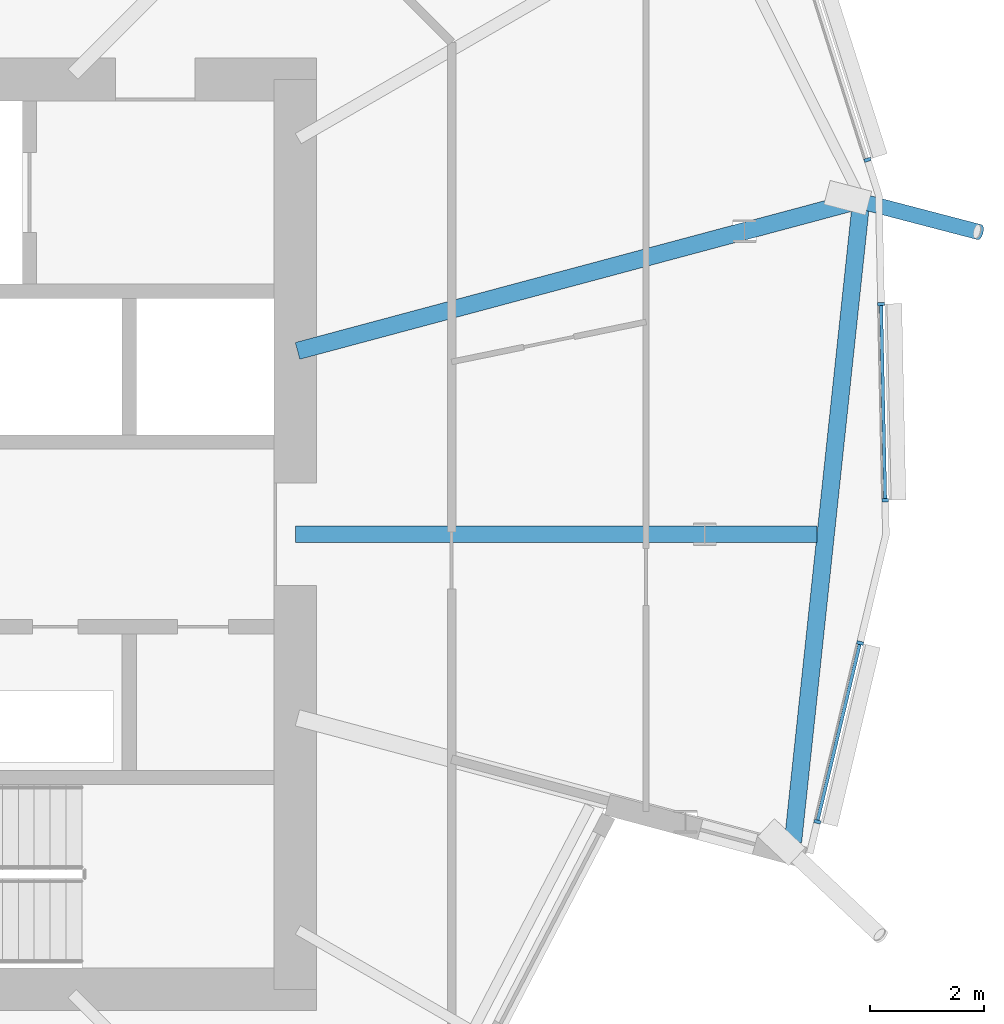
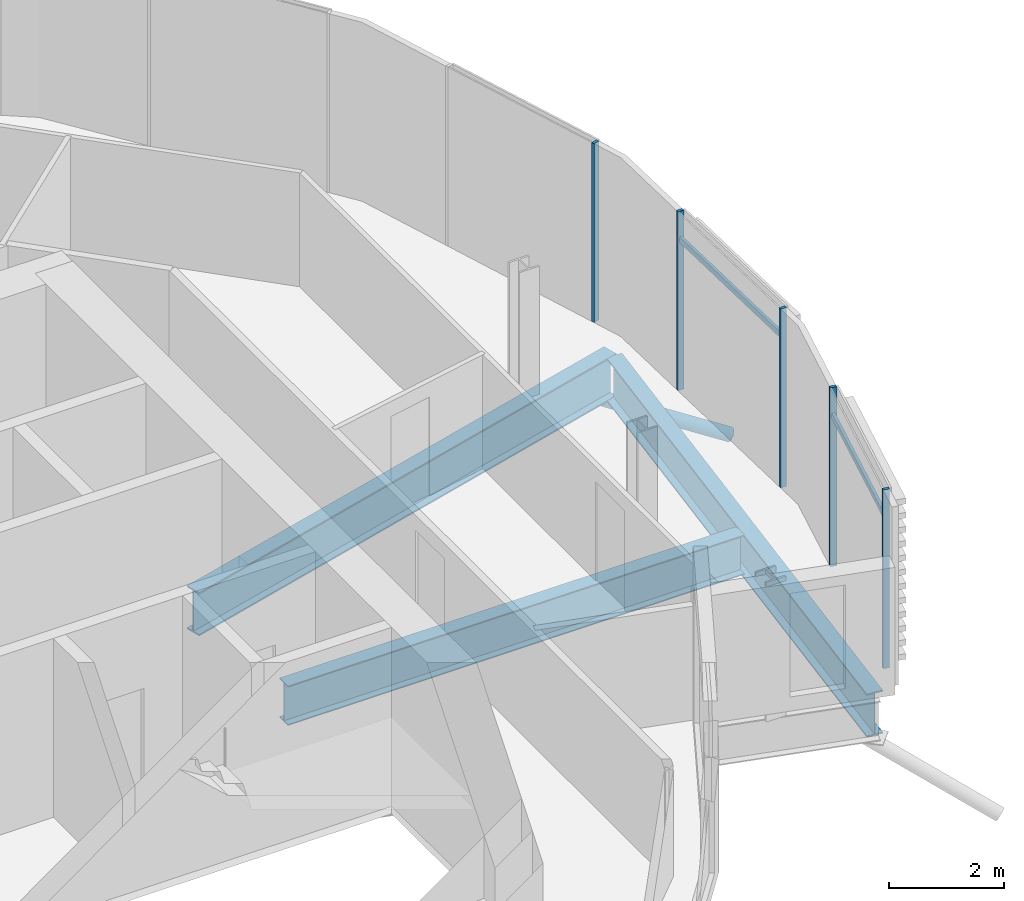
# One storey, part 16 of 43: 8 members, 3 beams, 1 element without a shape of its own.
"""IFC4 building model written with IfcOpenShell, lengths in metres."""

from ifc_helpers import new_model, si_unit, direction, frame, origin, origin_2d, place, context, subcontext, project, spatial, rectangle, hollow_circle, i_section, extrude, clip, halfspace, material, material_profile, profile_set, type_object, element, aggregate, save


model = new_model("IFC4")

# Units and contexts
model_context = context("Model", 3, precision=1e-05, world=origin(), true_north=direction((0.0, 1.0)))
body_context = subcontext(model_context, "Body", "Model", "MODEL_VIEW")
ifc_project = project(units=[si_unit("LENGTHUNIT", "METRE"), si_unit("AREAUNIT", "SQUARE_METRE"), si_unit("VOLUMEUNIT", "CUBIC_METRE"), si_unit("PLANEANGLEUNIT", "RADIAN"), si_unit("MASSUNIT", "GRAM", prefix="KILO")], contexts=[model_context])

# Site, building, storey
site_placement = place(None, origin())
site = spatial("IfcSite", under=ifc_project, at=site_placement, CompositionType="ELEMENT")
building_placement = place(site_placement, origin())
building = spatial("IfcBuilding", under=site, at=building_placement, Name="Rimbun Link Towers", CompositionType="ELEMENT")
storey_placement = place(building_placement, frame((0.0, 0.0, 81.60009765625)))
storey = spatial("IfcBuildingStorey", under=building, at=storey_placement, Name="L19", CompositionType="ELEMENT", Elevation=81.60009765625)

# Curtain wall, members
ifc_material_1 = material(Name="Aluminium 6063-T6 and low-iron glass", Category="aluminium")
curtain_wall_type = type_object("IfcCurtainWallType", Name="CW1-Z2 unitised vision wall (zone 2)", PredefinedType="NOTDEFINED", material=ifc_material_1)
curtain_wall_placement = place(storey_placement, origin())
curtain_wall = element("IfcCurtainWall", 1, at=curtain_wall_placement, inside=storey, type_object=curtain_wall_type, Name="CW1 L19 T2", PredefinedType="NOTDEFINED")
ifc_material_2 = material(Name="Aluminium 6063-T6", Category="aluminium")
ifc_material_profile_1 = material_profile(ifc_material_2, rectangle(XDim=0.1201171875, YDim=0.06005859375, at=origin_2d()), Name="MULLION 60X120")
ifc_profile_set_1 = profile_set([ifc_material_profile_1], Name="Aluminium 6063-T6")
member_type_1 = type_object("IfcMemberType", Name="CW1 mullion 60X120", PredefinedType="MULLION", material=ifc_profile_set_1)
member_1_placement = place(storey_placement, frame((53.68310546875, -1.910400390625, 0.0), z_axis=(0.0, 0.0, 1.0), x_axis=(0.972576339867, -0.232583884072, 0.0)))
member_1 = element("IfcMember", 2, at=member_1_placement, type_object=member_type_1, Name="CW1 mullion", PredefinedType="MULLION", context=body_context, shape_type="SweptSolid", body=[
    extrude(rectangle(XDim=0.1201171875, YDim=0.06005859375, at=origin_2d()), origin(), (0.0, 0.0, 1.0), 3.7998046875),
])
member_2_placement = place(storey_placement, frame((52.931640625, -5.052978515625, 0.0), z_axis=(0.0, 0.0, 1.0), x_axis=(0.972576339867, -0.232583884072, 0.0)))
member_2 = element("IfcMember", 3, at=member_2_placement, type_object=member_type_1, Name="CW1 mullion", PredefinedType="MULLION", context=body_context, shape_type="SweptSolid", body=[
    extrude(rectangle(XDim=0.1201171875, YDim=0.06005859375, at=origin_2d()), origin(), (0.0, 0.0, 1.0), 3.7998046875),
])
member_3_placement = place(storey_placement, frame((54.052978515625, 4.051025390625, 0.0), z_axis=(0.0, 0.0, 1.0), x_axis=(0.999778284552, 0.02105663171, 0.0)))
member_3 = element("IfcMember", 4, at=member_3_placement, type_object=member_type_1, Name="CW1 mullion", PredefinedType="MULLION", context=body_context, shape_type="SweptSolid", body=[
    extrude(rectangle(XDim=0.1201171875, YDim=0.06005859375, at=origin_2d()), origin(), (0.0, 0.0, 1.0), 3.7998046875),
])
member_4_placement = place(storey_placement, frame((54.125732421875, 0.60107421875, 0.0), z_axis=(0.0, 0.0, 1.0), x_axis=(0.999778284552, 0.02105663171, 0.0)))
member_4 = element("IfcMember", 5, at=member_4_placement, type_object=member_type_1, Name="CW1 mullion", PredefinedType="MULLION", context=body_context, shape_type="SweptSolid", body=[
    extrude(rectangle(XDim=0.1201171875, YDim=0.06005859375, at=origin_2d()), origin(), (0.0, 0.0, 1.0), 3.7998046875),
])
member_5_placement = place(storey_placement, frame((53.813232421875, 6.5869140625, 0.0), z_axis=(0.0, 0.0, 1.0), x_axis=(0.952968251743, 0.303070142328, 0.0)))
member_5 = element("IfcMember", 6, at=member_5_placement, type_object=member_type_1, Name="CW1 mullion", PredefinedType="MULLION", context=body_context, shape_type="SweptSolid", body=[
    extrude(rectangle(XDim=0.1201171875, YDim=0.06005859375, at=origin_2d()), origin(), (0.0, 0.0, 1.0), 3.7998046875),
])
ifc_material_3 = material(Name="Aluminium 6063-T6", Category="aluminium")
ifc_material_profile_2 = material_profile(ifc_material_3, rectangle(XDim=0.06005859375, YDim=0.1201171875, at=origin_2d()), Name="TRANSOM 60X120")
ifc_profile_set_2 = profile_set([ifc_material_profile_2], Name="Aluminium 6063-T6")
member_type_2 = type_object("IfcMemberType", Name="CW1 transom 60X120", PredefinedType="USERDEFINED", material=ifc_profile_set_2)
member_6_placement = place(storey_placement, frame((53.674072265625, -1.939208984375, 3.199951171875), z_axis=(-0.232577962534, -0.972577755937, 0.0), x_axis=(0.972577755937, -0.232577962534, 0.0)))
member_6 = element("IfcMember", 7, at=member_6_placement, type_object=member_type_2, Name="CW1 transom", ObjectType="TRANSOM", PredefinedType="USERDEFINED", context=body_context, shape_type="SweptSolid", body=[
    extrude(rectangle(XDim=0.06005859375, YDim=0.1201171875, at=origin_2d()), origin(), (0.0, 0.0, 1.0), 3.171142578125),
])
member_7_placement = place(storey_placement, frame((54.051513671875, 4.02099609375, 3.199951171875), z_axis=(0.021097211863, -0.999777429057, 0.0), x_axis=(0.999777429057, 0.021097211863, 0.0)))
member_7 = element("IfcMember", 8, at=member_7_placement, type_object=member_type_2, Name="CW1 transom", ObjectType="TRANSOM", PredefinedType="USERDEFINED", context=body_context, shape_type="SweptSolid", body=[
    extrude(rectangle(XDim=0.06005859375, YDim=0.1201171875, at=origin_2d()), origin(), (0.0, 0.0, 1.0), 3.390625),
])
aggregate(curtain_wall, [member_1, member_2, member_3, member_4, member_5, member_6, member_7])

# Member
ifc_material_4 = material(Name="Steel S355J2H", Category="steel")
ifc_material_profile_3 = material_profile(ifc_material_4, hollow_circle(Radius=0.136474609375, WallThickness=0.012451171875, at=origin_2d()), Name="CHS 273x12.5")
ifc_profile_set_3 = profile_set([ifc_material_profile_3], Name="Steel S355J2H")
member_type_3 = type_object("IfcMemberType", Name="Floor edge link CHS 273x12.5", PredefinedType="BRACE", material=ifc_profile_set_3)
member_8_placement = place(storey_placement, frame((53.656005859375, 5.86962890625, -1.199462890625), z_axis=(0.859566323705, -0.224264721509, -0.459185223889), x_axis=(0.252453545974, 0.967609015628, 0.0)))
element("IfcMember", 9, at=member_8_placement, inside=storey, type_object=member_type_3, Name="Floor edge link T2 L19 22", PredefinedType="BRACE", context=body_context, shape_type="Clipping", body=[
    clip(extrude(hollow_circle(Radius=0.136474609375, WallThickness=0.012451171875, at=origin_2d()), frame((0.0, 0.0, -0.5498046875)), (0.0, 0.0, 1.0), 3.0244140625), halfspace(frame((0.0, 0.0, -0.259033203125), z_axis=(0.0, 0.888340548529, -0.459185223889)), False)),
])

# Beams
ifc_material_5 = material(Name="Steel S355J2", Category="steel")
ifc_material_profile_4 = material_profile(ifc_material_5, i_section(OverallWidth=0.29248046875, OverallDepth=0.8408203125, WebThickness=0.0126953125, FlangeThickness=0.021728515625, at=origin_2d()), Name="UB 838x292x194")
ifc_profile_set_4 = profile_set([ifc_material_profile_4], Name="Steel S355J2")
beam_type_1 = type_object("IfcBeamType", Name="UB 838x292x194", PredefinedType="BEAM", material=ifc_profile_set_4)
beam_1_placement = place(storey_placement, frame((43.7509765625, 0.0, -0.58056640625), z_axis=(1.0, 0.0, 0.0), x_axis=(0.0, 1.0, 0.0)))
element("IfcBeam", 10, at=beam_1_placement, inside=storey, type_object=beam_type_1, Name="Radial beam T2 L19 21", PredefinedType="BEAM", context=body_context, shape_type="SweptSolid", body=[
    extrude(i_section(OverallWidth=0.29248046875, OverallDepth=0.8408203125, WebThickness=0.0126953125, FlangeThickness=0.021728515625, at=origin_2d()), origin(), (0.0, 0.0, 1.0), 9.1728515625),
])
ifc_material_6 = material(Name="Steel S355J2", Category="steel")
ifc_material_profile_5 = material_profile(ifc_material_6, i_section(OverallWidth=0.305419921875, OverallDepth=0.91845703125, WebThickness=0.017333984375, FlangeThickness=0.02783203125, at=origin_2d()), Name="UB 914x305x253")
ifc_profile_set_5 = profile_set([ifc_material_profile_5], Name="Steel S355J2")
beam_type_2 = type_object("IfcBeamType", Name="UB 914x305x253", PredefinedType="BEAM", material=ifc_profile_set_5)
beam_2_placement = place(storey_placement, frame((43.79052734375, 3.226318359375, -0.619384765625), z_axis=(0.965929470742, 0.258805443438, 0.0), x_axis=(-0.258805443438, 0.965929470742, 0.0)))
element("IfcBeam", 11, at=beam_2_placement, inside=storey, type_object=beam_type_2, Name="Radial beam T2 L19 22", PredefinedType="BEAM", context=body_context, shape_type="SweptSolid", body=[
    extrude(i_section(OverallWidth=0.305419921875, OverallDepth=0.91845703125, WebThickness=0.017333984375, FlangeThickness=0.02783203125, at=origin_2d()), origin(), (0.0, 0.0, 1.0), 10.263427734375),
])
beam_3_placement = place(storey_placement, frame((52.5029296875, -5.408203125, -0.619384765625), z_axis=(0.105815890312, 0.994385738714, 0.0), x_axis=(-0.994385738714, 0.105815890312, 0.0)))
element("IfcBeam", 12, at=beam_3_placement, inside=storey, type_object=beam_type_2, Name="Edge beam T2 L19 20-22", PredefinedType="BEAM", context=body_context, shape_type="SweptSolid", body=[
    extrude(i_section(OverallWidth=0.305419921875, OverallDepth=0.91845703125, WebThickness=0.017333984375, FlangeThickness=0.02783203125, at=origin_2d()), origin(), (0.0, 0.0, 1.0), 11.18994140625),
])

save(model, "model.ifc")
